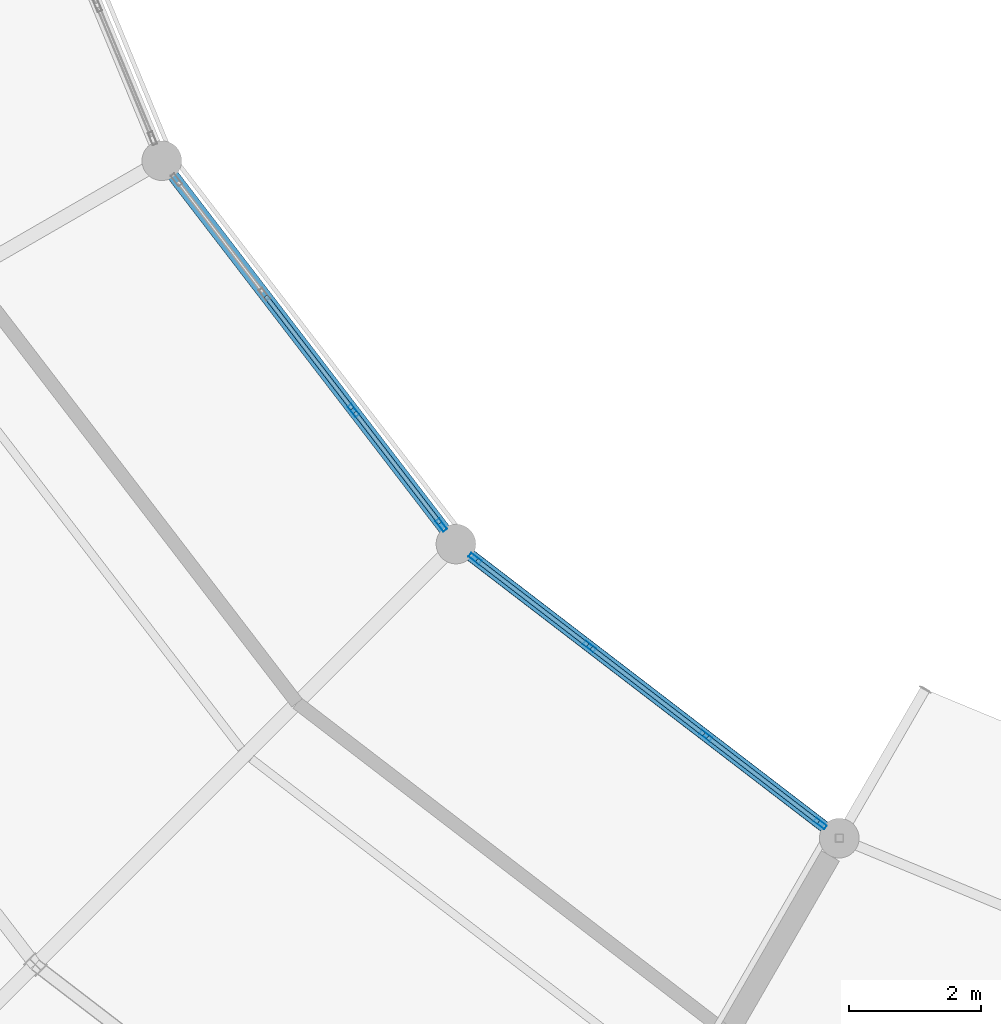
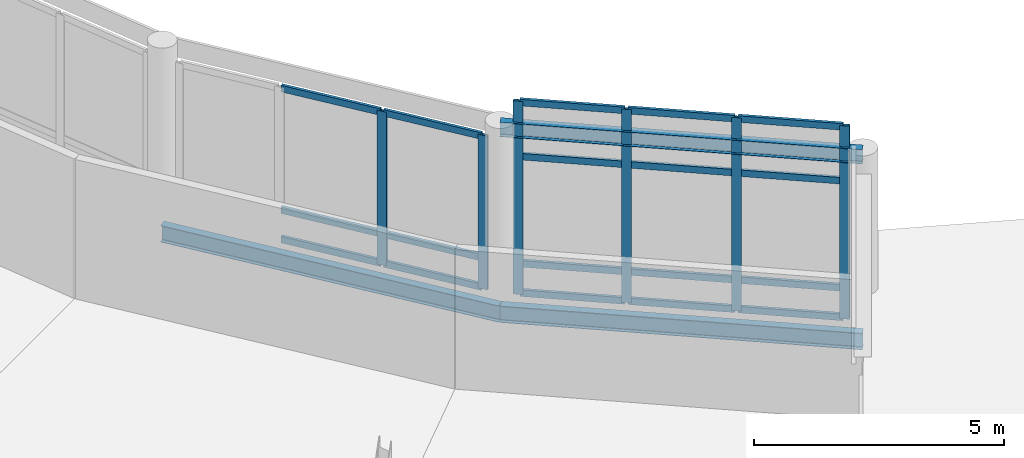
# One storey, part 51 of 185: 24 members, 3 beams, 2 elements without a shape of their own.
"""IFC4 building model written with IfcOpenShell, lengths in metres."""

from ifc_helpers import new_model, si_unit, direction, frame, origin, origin_2d, place, context, subcontext, project, spatial, hollow_rectangle, i_section, extrude, material, material_profile, profile_set, type_object, element, aggregate, save


model = new_model("IFC4")

# Units and contexts
model_context = context("Model", 3, precision=1e-05, world=origin(), true_north=direction((0.0, 1.0)))
body_context = subcontext(model_context, "Body", "Model", "MODEL_VIEW")
ifc_project = project(units=[si_unit("LENGTHUNIT", "METRE"), si_unit("AREAUNIT", "SQUARE_METRE"), si_unit("VOLUMEUNIT", "CUBIC_METRE"), si_unit("PLANEANGLEUNIT", "RADIAN"), si_unit("MASSUNIT", "GRAM", prefix="KILO")], contexts=[model_context])

# Site, building, storey
site_placement = place(None, origin())
site = spatial("IfcSite", under=ifc_project, at=site_placement, CompositionType="ELEMENT")
building_placement = place(site_placement, origin())
building = spatial("IfcBuilding", under=site, at=building_placement, Name="Vondelvale Polytechnic", CompositionType="ELEMENT")
storey_placement = place(building_placement, frame((0.0, 0.0, 9.60009765625)))
storey = spatial("IfcBuildingStorey", under=building, at=storey_placement, Name="L02", CompositionType="ELEMENT", Elevation=9.60009765625)

# Beams
ifc_material_1 = material(Name="Steel 300PLUS (fy = 300 MPa)", Category="steel")
ifc_material_profile_1 = material_profile(ifc_material_1, i_section(OverallWidth=0.1708984375, OverallDepth=0.35205078125, WebThickness=0.0068359375, FlangeThickness=0.009765625, FilletRadius=0.011474609375, at=origin_2d()), Name="360UB44.7")
ifc_profile_set_1 = profile_set([ifc_material_profile_1], Name="Steel 300PLUS (fy = 300 MPa)")
beam_type_1 = type_object("IfcBeamType", Name="BM-UB360L", PredefinedType="BEAM", material=ifc_profile_set_1)
beam_placement = place(storey_placement, frame((82.200927734375, 52.200927734375, 4.02392578125), z_axis=(0.793358469083, -0.608754744979, 0.0), x_axis=(0.608754744979, 0.793358469083, 0.0)))
element("IfcBeam", 1, at=beam_placement, inside=storey, type_object=beam_type_1, Name="L02 RE B-24", PredefinedType="BEAM", context=body_context, shape_type="SweptSolid", body=[
    extrude(i_section(OverallWidth=0.1708984375, OverallDepth=0.35205078125, WebThickness=0.0068359375, FlangeThickness=0.009765625, FilletRadius=0.011474609375, at=origin_2d()), origin(), (0.0, 0.0, 1.0), 7.3095703125),
])
ifc_material_profile_2 = material_profile(ifc_material_1, i_section(OverallWidth=0.177978515625, OverallDepth=0.403076171875, WebThickness=0.007568359375, FlangeThickness=0.010986328125, FilletRadius=0.011474609375, at=origin_2d()), Name="410UB53.7")
ifc_profile_set_2 = profile_set([ifc_material_profile_2], Name="Steel 300PLUS (fy = 300 MPa)")
beam_type_2 = type_object("IfcBeamType", Name="BM-UB410L", PredefinedType="BEAM", material=ifc_profile_set_2)
for number, where, z_axis, x_axis, name in (
    (2, (77.751220703125, 58.0, -0.481689453125), (0.608754744979, -0.793358469083, 0.0), (0.793358469083, 0.608754744979, 0.0), "L02 RB B-23"),
    (3, (82.200927734375, 52.200927734375, -0.481689453125), (0.793358469083, -0.608754744979, 0.0), (0.608754744979, 0.793358469083, 0.0), "L02 RB B-23"),
):
    element("IfcBeam", number, at=place(storey_placement, frame(where, z_axis=z_axis, x_axis=x_axis)), inside=storey, type_object=beam_type_2, Name=name, PredefinedType="BEAM", context=body_context, shape_type="SweptSolid", body=[
        extrude(i_section(OverallWidth=0.177978515625, OverallDepth=0.403076171875, WebThickness=0.007568359375, FlangeThickness=0.010986328125, FilletRadius=0.011474609375, at=origin_2d()), origin(), (0.0, 0.0, 1.0), 7.3095703125),
    ])

# Curtain wall, members
ifc_material_2 = material(Name="Anodised extruded aluminium 6063-T6", Category="aluminium")
curtain_wall_type = type_object("IfcCurtainWallType", Name="CW-RING-CLOISTER", PredefinedType="NOTDEFINED", material=ifc_material_2)
curtain_wall_1_placement = place(storey_placement, origin())
curtain_wall_1 = element("IfcCurtainWall", 4, at=curtain_wall_1_placement, inside=storey, type_object=curtain_wall_type, Name="L02 architectural curtain wall CW-03-302", PredefinedType="NOTDEFINED")
ifc_material_profile_3 = material_profile(ifc_material_2, hollow_rectangle(XDim=0.070068359375, YDim=0.199951171875, WallThickness=0.00390625, at=origin_2d()), Name="CW-MUL-200x70")
ifc_profile_set_3 = profile_set([ifc_material_profile_3], Name="Anodised extruded aluminium 6063-T6")
member_type_1 = type_object("IfcMemberType", Name="CW-MUL-70x200", PredefinedType="MULLION", material=ifc_profile_set_3)
member_1_placement = place(storey_placement, frame((80.651123046875, 54.220947265625, 0.0), z_axis=(0.0, 0.0, 1.0), x_axis=(0.793363861089, 0.608747717793, 0.0)))
member_1 = element("IfcMember", 5, at=member_1_placement, type_object=member_type_1, Name="CW-03-302 mullion 3", PredefinedType="MULLION", context=body_context, shape_type="SweptSolid", body=[
    extrude(hollow_rectangle(XDim=0.070068359375, YDim=0.199951171875, WallThickness=0.00390625, at=origin_2d()), origin(), (0.0, 0.0, 1.0), 3.75),
])
member_2_placement = place(storey_placement, frame((81.9794921875, 52.489501953125, 0.0), z_axis=(0.0, 0.0, 1.0), x_axis=(0.793363861089, 0.608747717793, 0.0)))
member_2 = element("IfcMember", 6, at=member_2_placement, type_object=member_type_1, Name="CW-03-302 mullion 4", PredefinedType="MULLION", context=body_context, shape_type="SweptSolid", body=[
    extrude(hollow_rectangle(XDim=0.070068359375, YDim=0.199951171875, WallThickness=0.00390625, at=origin_2d()), origin(), (0.0, 0.0, 1.0), 3.75),
])

curtain_wall_2_placement = place(storey_placement, origin())
curtain_wall_2 = element("IfcCurtainWall", 7, at=curtain_wall_2_placement, inside=storey, type_object=curtain_wall_type, Name="L02 architectural curtain wall CW-03-321", PredefinedType="NOTDEFINED")
member_3_placement = place(storey_placement, frame((82.489501953125, 51.9794921875, 0.0), z_axis=(0.0, 0.0, 1.0), x_axis=(0.608747717793, 0.793363861089, 0.0)))
member_3 = element("IfcMember", 8, at=member_3_placement, type_object=member_type_1, Name="CW-03-321 mullion 1", PredefinedType="MULLION", context=body_context, shape_type="SweptSolid", body=[
    extrude(hollow_rectangle(XDim=0.070068359375, YDim=0.199951171875, WallThickness=0.00390625, at=origin_2d()), origin(), (0.0, 0.0, 1.0), 4.713134765625),
])
member_4_placement = place(storey_placement, frame((84.220947265625, 50.651123046875, 0.0), z_axis=(0.0, 0.0, 1.0), x_axis=(0.608747717793, 0.793363861089, 0.0)))
member_4 = element("IfcMember", 9, at=member_4_placement, type_object=member_type_1, Name="CW-03-321 mullion 2", PredefinedType="MULLION", context=body_context, shape_type="SweptSolid", body=[
    extrude(hollow_rectangle(XDim=0.070068359375, YDim=0.199951171875, WallThickness=0.00390625, at=origin_2d()), origin(), (0.0, 0.0, 1.0), 4.713134765625),
])
member_5_placement = place(storey_placement, frame((85.97998046875, 49.30126953125, 0.0), z_axis=(0.0, 0.0, 1.0), x_axis=(0.608747717793, 0.793363861089, 0.0)))
member_5 = element("IfcMember", 10, at=member_5_placement, type_object=member_type_1, Name="CW-03-321 mullion 3", PredefinedType="MULLION", context=body_context, shape_type="SweptSolid", body=[
    extrude(hollow_rectangle(XDim=0.070068359375, YDim=0.199951171875, WallThickness=0.00390625, at=origin_2d()), origin(), (0.0, 0.0, 1.0), 4.713134765625),
])
member_6_placement = place(storey_placement, frame((87.71142578125, 47.97265625, 0.0), z_axis=(0.0, 0.0, 1.0), x_axis=(0.608747717793, 0.793363861089, 0.0)))
member_6 = element("IfcMember", 11, at=member_6_placement, type_object=member_type_1, Name="CW-03-321 mullion 4", PredefinedType="MULLION", context=body_context, shape_type="SweptSolid", body=[
    extrude(hollow_rectangle(XDim=0.070068359375, YDim=0.199951171875, WallThickness=0.00390625, at=origin_2d()), origin(), (0.0, 0.0, 1.0), 4.713134765625),
])

# Member
ifc_material_profile_4 = material_profile(ifc_material_2, hollow_rectangle(XDim=0.06494140625, YDim=0.159912109375, WallThickness=0.00341796875, at=origin_2d()), Name="CW-TRN-160x65")
ifc_profile_set_4 = profile_set([ifc_material_profile_4], Name="Anodised extruded aluminium 6063-T6")
member_type_2 = type_object("IfcMemberType", Name="CW-TRN-70x160", PredefinedType="USERDEFINED", material=ifc_profile_set_4)
member_7_placement = place(storey_placement, frame((79.322509765625, 55.952392578125, 0.032470703125), z_axis=(0.608732251269, -0.793375728306, 0.0), x_axis=(0.793375728306, 0.608732251269, 0.0)))
member_7 = element("IfcMember", 12, at=member_7_placement, type_object=member_type_2, Name="CW-03-302 transom 2.1", ObjectType="TRANSOM", PredefinedType="USERDEFINED", context=body_context, shape_type="SweptSolid", body=[
    extrude(hollow_rectangle(XDim=0.06494140625, YDim=0.159912109375, WallThickness=0.00341796875, at=origin_2d()), origin(), (0.0, 0.0, 1.0), 2.147216796875),
])

member_8_placement = place(storey_placement, frame((79.322509765625, 55.952392578125, 0.75), z_axis=(0.608732251269, -0.793375728306, 0.0), x_axis=(0.793375728306, 0.608732251269, 0.0)))
member_8 = element("IfcMember", 13, at=member_8_placement, type_object=member_type_2, Name="CW-03-302 transom 2.2", ObjectType="TRANSOM", PredefinedType="USERDEFINED", context=body_context, shape_type="SweptSolid", body=[
    extrude(hollow_rectangle(XDim=0.06494140625, YDim=0.159912109375, WallThickness=0.00341796875, at=origin_2d()), origin(), (0.0, 0.0, 1.0), 2.147216796875),
])

member_9_placement = place(storey_placement, frame((79.322509765625, 55.952392578125, 3.71728515625), z_axis=(0.608732251269, -0.793375728306, 0.0), x_axis=(0.793375728306, 0.608732251269, 0.0)))
member_9 = element("IfcMember", 14, at=member_9_placement, type_object=member_type_2, Name="CW-03-302 transom 2.3", ObjectType="TRANSOM", PredefinedType="USERDEFINED", context=body_context, shape_type="SweptSolid", body=[
    extrude(hollow_rectangle(XDim=0.06494140625, YDim=0.159912109375, WallThickness=0.00341796875, at=origin_2d()), origin(), (0.0, 0.0, 1.0), 2.147216796875),
])

member_10_placement = place(storey_placement, frame((80.67236328125, 54.193115234375, 0.032470703125), z_axis=(0.608766343448, -0.793349569285, 0.0), x_axis=(0.793349569285, 0.608766343448, 0.0)))
member_10 = element("IfcMember", 15, at=member_10_placement, type_object=member_type_2, Name="CW-03-302 transom 3.1", ObjectType="TRANSOM", PredefinedType="USERDEFINED", context=body_context, shape_type="SweptSolid", body=[
    extrude(hollow_rectangle(XDim=0.06494140625, YDim=0.159912109375, WallThickness=0.00341796875, at=origin_2d()), origin(), (0.0, 0.0, 1.0), 2.1123046875),
])

member_11_placement = place(storey_placement, frame((80.67236328125, 54.193115234375, 0.75), z_axis=(0.608766343448, -0.793349569285, 0.0), x_axis=(0.793349569285, 0.608766343448, 0.0)))
member_11 = element("IfcMember", 16, at=member_11_placement, type_object=member_type_2, Name="CW-03-302 transom 3.2", ObjectType="TRANSOM", PredefinedType="USERDEFINED", context=body_context, shape_type="SweptSolid", body=[
    extrude(hollow_rectangle(XDim=0.06494140625, YDim=0.159912109375, WallThickness=0.00341796875, at=origin_2d()), origin(), (0.0, 0.0, 1.0), 2.1123046875),
])

member_12_placement = place(storey_placement, frame((80.67236328125, 54.193115234375, 3.71728515625), z_axis=(0.608766343448, -0.793349569285, 0.0), x_axis=(0.793349569285, 0.608766343448, 0.0)))
member_12 = element("IfcMember", 17, at=member_12_placement, type_object=member_type_2, Name="CW-03-302 transom 3.3", ObjectType="TRANSOM", PredefinedType="USERDEFINED", context=body_context, shape_type="SweptSolid", body=[
    extrude(hollow_rectangle(XDim=0.06494140625, YDim=0.159912109375, WallThickness=0.00341796875, at=origin_2d()), origin(), (0.0, 0.0, 1.0), 2.1123046875),
])

aggregate(curtain_wall_1, [member_1, member_2, member_7, member_8, member_9, member_10, member_11, member_12])

member_13_placement = place(storey_placement, frame((82.517333984375, 51.958251953125, 0.032470703125), z_axis=(0.793349569285, -0.608766343448, 0.0), x_axis=(0.608766343448, 0.793349569285, 0.0)))
member_13 = element("IfcMember", 18, at=member_13_placement, type_object=member_type_2, Name="CW-03-321 transom 1.1", ObjectType="TRANSOM", PredefinedType="USERDEFINED", context=body_context, shape_type="SweptSolid", body=[
    extrude(hollow_rectangle(XDim=0.06494140625, YDim=0.159912109375, WallThickness=0.00341796875, at=origin_2d()), origin(), (0.0, 0.0, 1.0), 2.1123046875),
])

member_14_placement = place(storey_placement, frame((82.517333984375, 51.958251953125, 0.75), z_axis=(0.793349569285, -0.608766343448, 0.0), x_axis=(0.608766343448, 0.793349569285, 0.0)))
member_14 = element("IfcMember", 19, at=member_14_placement, type_object=member_type_2, Name="CW-03-321 transom 1.2", ObjectType="TRANSOM", PredefinedType="USERDEFINED", context=body_context, shape_type="SweptSolid", body=[
    extrude(hollow_rectangle(XDim=0.06494140625, YDim=0.159912109375, WallThickness=0.00341796875, at=origin_2d()), origin(), (0.0, 0.0, 1.0), 2.1123046875),
])

member_15_placement = place(storey_placement, frame((82.517333984375, 51.958251953125, 3.363037109375), z_axis=(0.793349569285, -0.608766343448, 0.0), x_axis=(0.608766343448, 0.793349569285, 0.0)))
member_15 = element("IfcMember", 20, at=member_15_placement, type_object=member_type_2, Name="CW-03-321 transom 1.3", ObjectType="TRANSOM", PredefinedType="USERDEFINED", context=body_context, shape_type="SweptSolid", body=[
    extrude(hollow_rectangle(XDim=0.06494140625, YDim=0.159912109375, WallThickness=0.00341796875, at=origin_2d()), origin(), (0.0, 0.0, 1.0), 2.1123046875),
])

member_16_placement = place(storey_placement, frame((82.517333984375, 51.958251953125, 4.6806640625), z_axis=(0.793349569285, -0.608766343448, 0.0), x_axis=(0.608766343448, 0.793349569285, 0.0)))
member_16 = element("IfcMember", 21, at=member_16_placement, type_object=member_type_2, Name="CW-03-321 transom 1.4", ObjectType="TRANSOM", PredefinedType="USERDEFINED", context=body_context, shape_type="SweptSolid", body=[
    extrude(hollow_rectangle(XDim=0.06494140625, YDim=0.159912109375, WallThickness=0.00341796875, at=origin_2d()), origin(), (0.0, 0.0, 1.0), 2.1123046875),
])

member_17_placement = place(storey_placement, frame((84.248779296875, 50.629638671875, 0.032470703125), z_axis=(0.793375728306, -0.608732251269, 0.0), x_axis=(0.608732251269, 0.793375728306, 0.0)))
member_17 = element("IfcMember", 22, at=member_17_placement, type_object=member_type_2, Name="CW-03-321 transom 2.1", ObjectType="TRANSOM", PredefinedType="USERDEFINED", context=body_context, shape_type="SweptSolid", body=[
    extrude(hollow_rectangle(XDim=0.06494140625, YDim=0.159912109375, WallThickness=0.00341796875, at=origin_2d()), origin(), (0.0, 0.0, 1.0), 2.147216796875),
])

member_18_placement = place(storey_placement, frame((84.248779296875, 50.629638671875, 0.75), z_axis=(0.793375728306, -0.608732251269, 0.0), x_axis=(0.608732251269, 0.793375728306, 0.0)))
member_18 = element("IfcMember", 23, at=member_18_placement, type_object=member_type_2, Name="CW-03-321 transom 2.2", ObjectType="TRANSOM", PredefinedType="USERDEFINED", context=body_context, shape_type="SweptSolid", body=[
    extrude(hollow_rectangle(XDim=0.06494140625, YDim=0.159912109375, WallThickness=0.00341796875, at=origin_2d()), origin(), (0.0, 0.0, 1.0), 2.147216796875),
])

member_19_placement = place(storey_placement, frame((84.248779296875, 50.629638671875, 3.363037109375), z_axis=(0.793375728306, -0.608732251269, 0.0), x_axis=(0.608732251269, 0.793375728306, 0.0)))
member_19 = element("IfcMember", 24, at=member_19_placement, type_object=member_type_2, Name="CW-03-321 transom 2.3", ObjectType="TRANSOM", PredefinedType="USERDEFINED", context=body_context, shape_type="SweptSolid", body=[
    extrude(hollow_rectangle(XDim=0.06494140625, YDim=0.159912109375, WallThickness=0.00341796875, at=origin_2d()), origin(), (0.0, 0.0, 1.0), 2.147216796875),
])

member_20_placement = place(storey_placement, frame((84.248779296875, 50.629638671875, 4.6806640625), z_axis=(0.793375728306, -0.608732251269, 0.0), x_axis=(0.608732251269, 0.793375728306, 0.0)))
member_20 = element("IfcMember", 25, at=member_20_placement, type_object=member_type_2, Name="CW-03-321 transom 2.4", ObjectType="TRANSOM", PredefinedType="USERDEFINED", context=body_context, shape_type="SweptSolid", body=[
    extrude(hollow_rectangle(XDim=0.06494140625, YDim=0.159912109375, WallThickness=0.00341796875, at=origin_2d()), origin(), (0.0, 0.0, 1.0), 2.147216796875),
])

member_21_placement = place(storey_placement, frame((86.0078125, 49.280029296875, 0.032470703125), z_axis=(0.793336583571, -0.608783266169, 0.0), x_axis=(0.608783266169, 0.793336583571, 0.0)))
member_21 = element("IfcMember", 26, at=member_21_placement, type_object=member_type_2, Name="CW-03-321 transom 3.1", ObjectType="TRANSOM", PredefinedType="USERDEFINED", context=body_context, shape_type="SweptSolid", body=[
    extrude(hollow_rectangle(XDim=0.06494140625, YDim=0.159912109375, WallThickness=0.00341796875, at=origin_2d()), origin(), (0.0, 0.0, 1.0), 2.112548828125),
])

member_22_placement = place(storey_placement, frame((86.0078125, 49.280029296875, 0.75), z_axis=(0.793336583571, -0.608783266169, 0.0), x_axis=(0.608783266169, 0.793336583571, 0.0)))
member_22 = element("IfcMember", 27, at=member_22_placement, type_object=member_type_2, Name="CW-03-321 transom 3.2", ObjectType="TRANSOM", PredefinedType="USERDEFINED", context=body_context, shape_type="SweptSolid", body=[
    extrude(hollow_rectangle(XDim=0.06494140625, YDim=0.159912109375, WallThickness=0.00341796875, at=origin_2d()), origin(), (0.0, 0.0, 1.0), 2.112548828125),
])

member_23_placement = place(storey_placement, frame((86.0078125, 49.280029296875, 3.363037109375), z_axis=(0.793336583571, -0.608783266169, 0.0), x_axis=(0.608783266169, 0.793336583571, 0.0)))
member_23 = element("IfcMember", 28, at=member_23_placement, type_object=member_type_2, Name="CW-03-321 transom 3.3", ObjectType="TRANSOM", PredefinedType="USERDEFINED", context=body_context, shape_type="SweptSolid", body=[
    extrude(hollow_rectangle(XDim=0.06494140625, YDim=0.159912109375, WallThickness=0.00341796875, at=origin_2d()), origin(), (0.0, 0.0, 1.0), 2.112548828125),
])

member_24_placement = place(storey_placement, frame((86.0078125, 49.280029296875, 4.6806640625), z_axis=(0.793336583571, -0.608783266169, 0.0), x_axis=(0.608783266169, 0.793336583571, 0.0)))
member_24 = element("IfcMember", 29, at=member_24_placement, type_object=member_type_2, Name="CW-03-321 transom 3.4", ObjectType="TRANSOM", PredefinedType="USERDEFINED", context=body_context, shape_type="SweptSolid", body=[
    extrude(hollow_rectangle(XDim=0.06494140625, YDim=0.159912109375, WallThickness=0.00341796875, at=origin_2d()), origin(), (0.0, 0.0, 1.0), 2.112548828125),
])

aggregate(curtain_wall_2, [member_3, member_4, member_5, member_6, member_13, member_14, member_15, member_16, member_17, member_18, member_19, member_20, member_21, member_22, member_23, member_24])

save(model, "model.ifc")
